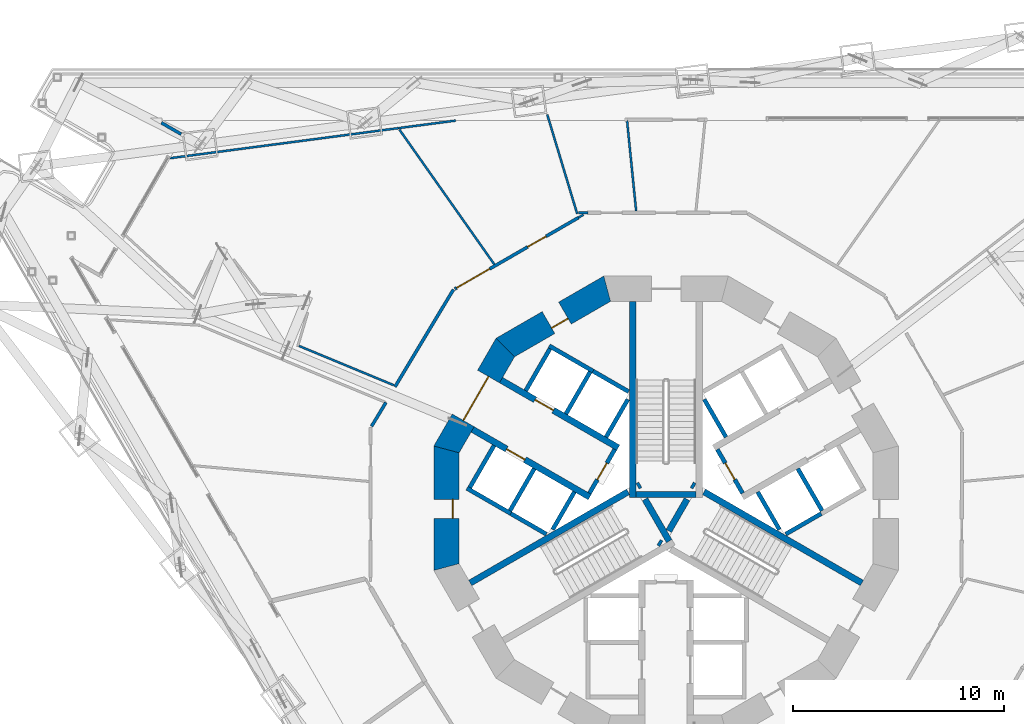
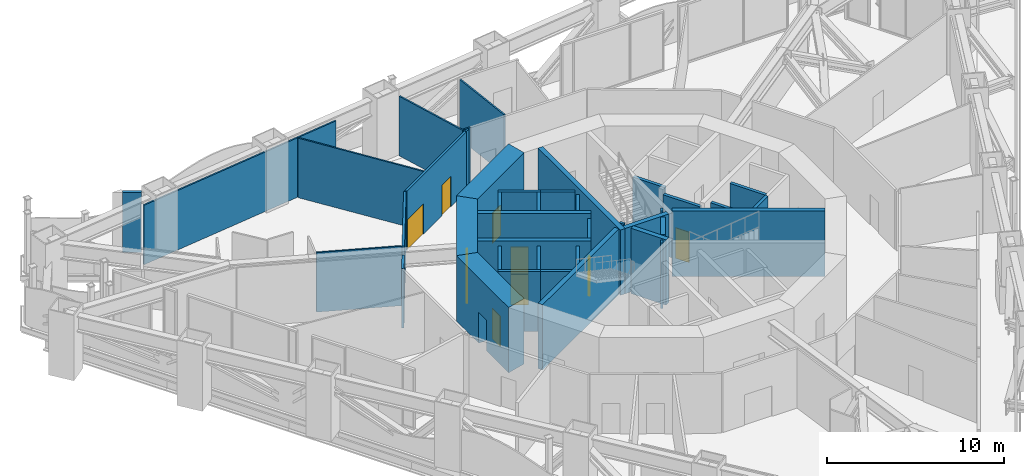
# One storey, part 15 of 28: 42 walls, 9 doors, 9 openings.
"""IFC4 building model written with IfcOpenShell, lengths in metres."""

from ifc_helpers import new_model, si_unit, direction, frame, frame_2d, origin, place, context, subcontext, project, spatial, polyline, rectangle, outline, extrude, material, layer, layer_set, type_object, element, fill, save


model = new_model("IFC4")

# Units and contexts
model_context = context("Model", 3, precision=1e-05, world=origin(), true_north=direction((0.0, 1.0)))
body_context = subcontext(model_context, "Body", "Model", "MODEL_VIEW")
ifc_project = project(units=[si_unit("LENGTHUNIT", "METRE"), si_unit("AREAUNIT", "SQUARE_METRE"), si_unit("VOLUMEUNIT", "CUBIC_METRE"), si_unit("PLANEANGLEUNIT", "RADIAN"), si_unit("MASSUNIT", "GRAM", prefix="KILO")], contexts=[model_context])

# Site, building, storey
site_placement = place(None, origin())
site = spatial("IfcSite", under=ifc_project, at=site_placement, CompositionType="ELEMENT")
building_placement = place(site_placement, origin())
building = spatial("IfcBuilding", under=site, at=building_placement, Name="Trine Commons Tower", CompositionType="ELEMENT")
storey_placement = place(building_placement, frame((0.0, 0.0, 45.89990234375)))
storey = spatial("IfcBuildingStorey", under=building, at=storey_placement, Name="L10", CompositionType="ELEMENT", Elevation=45.89990234375)

# Walls
ifc_material_1 = material(Name="Plasterboard on steel stud", Category="steel")
ifc_layer_1 = layer(ifc_material_1, 0.14990234375)
ifc_layer_set_1 = layer_set([ifc_layer_1], Name="Plasterboard on steel stud")
wall_type_1 = type_object("IfcWallType", Name="Compartment wall 150 mm, EI 60", PredefinedType="PARTITIONING", material=ifc_layer_set_1)
wall_1_placement = place(storey_placement, frame((66.033447265625, 66.383056640625, 0.0), z_axis=(0.0, 0.0, 1.0), x_axis=(0.516557629448, 0.856252425082, 0.0)))
element("IfcWall", 1, at=wall_1_placement, inside=storey, type_object=wall_type_1, Name="Partition A10017", PredefinedType="PARTITIONING", context=body_context, shape_type="SweptSolid", body=[
    extrude(rectangle(XDim=1.322509765625, YDim=0.14990234375, at=frame_2d((0.6611328125, 0.0))), origin(), (0.0, 0.0, 1.0), 4.10009765625),
])
wall_2_placement = place(storey_placement, frame((67.145263671875, 68.2578125, 0.0), z_axis=(0.0, 0.0, 1.0), x_axis=(0.515182336635, 0.857080602988, 0.0)))
element("IfcWall", 2, at=wall_2_placement, inside=storey, type_object=wall_type_1, Name="Partition A10018", PredefinedType="PARTITIONING", context=body_context, shape_type="SweptSolid", body=[
    extrude(rectangle(XDim=5.384765625, YDim=0.14990234375, at=frame_2d((2.6923828125, 0.0))), origin(), (0.0, 0.0, 1.0), 4.10009765625),
])

# Wall, openings, doors
wall_3_placement = place(storey_placement, frame((69.9853515625, 72.897216796875, 0.0), z_axis=(0.0, 0.0, 1.0), x_axis=(0.866032880261, 0.499987050139, 0.0)))
wall_3 = element("IfcWall", 3, at=wall_3_placement, inside=storey, type_object=wall_type_1, Name="Partition A10025", PredefinedType="PARTITIONING", context=body_context, shape_type="SweptSolid", body=[
    extrude(rectangle(XDim=6.762451171875, YDim=0.14990234375, at=frame_2d((3.38134765625, 0.0))), origin(), (0.0, 0.0, 1.0), 4.10009765625),
])
opening_1_placement = place(wall_3_placement, frame((0.10009765625, 0.0, 0.0)))
opening_1 = element("IfcOpeningElement", 4, at=opening_1_placement, cuts=wall_3, Name="Opening D-A1006", PredefinedType="OPENING", context=body_context, shape_type="SweptSolid", body=[
    extrude(rectangle(XDim=1.800048828125, YDim=2.10009765625, at=frame_2d((0.89990234375, 1.050048828125))), frame((0.0, 0.0849609375, 0.0), z_axis=(0.0, -1.0, 0.0), x_axis=(1.0, 0.0, 0.0)), (0.0, 0.0, 1.0), 0.169921875),
])
opening_2_placement = place(wall_3_placement, frame((3.986572265625, 0.0, 0.0)))
opening_2 = element("IfcOpeningElement", 5, at=opening_2_placement, cuts=wall_3, Name="Opening D-A1007", PredefinedType="OPENING", context=body_context, shape_type="SweptSolid", body=[
    extrude(rectangle(XDim=1.0, YDim=2.10009765625, at=frame_2d((0.5, 1.050048828125))), frame((0.0, 0.0849609375, 0.0), z_axis=(0.0, -1.0, 0.0), x_axis=(1.0, 0.0, 0.0)), (0.0, 0.0, 1.0), 0.169921875),
])
ifc_material_2 = material(Name="Timber fire door set", Category="wood")
door_type_1 = type_object("IfcDoorType", Name="Double swing door 1800x2100, FD30S", OperationType="DOUBLE_DOOR_DOUBLE_SWING", PredefinedType="DOOR", material=ifc_material_2)
door_1_placement = place(opening_1_placement, origin())
door_1 = element("IfcDoor", 6, at=door_1_placement, inside=storey, type_object=door_type_1, Name="Door D-A1006", OperationType="DOUBLE_DOOR_DOUBLE_SWING", OverallHeight=2.10009765625, OverallWidth=1.800048828125, PredefinedType="DOOR", context=body_context, shape_type="SweptSolid", body=[
    extrude(rectangle(XDim=1.800048828125, YDim=2.10009765625, at=frame_2d((0.89990234375, 1.050048828125))), frame((0.0, 0.02490234375, 0.0), z_axis=(0.0, -1.0, 0.0), x_axis=(1.0, 0.0, 0.0)), (0.0, 0.0, 1.0), 0.050048828125),
])
fill(opening_1, door_1)
door_type_2 = type_object("IfcDoorType", Name="Single swing door 1000x2100, FD30S", OperationType="SINGLE_SWING_LEFT", PredefinedType="DOOR", material=ifc_material_2)
door_2_placement = place(opening_2_placement, origin())
door_2 = element("IfcDoor", 7, at=door_2_placement, inside=storey, type_object=door_type_2, Name="Door D-A1007", OperationType="SINGLE_SWING_LEFT", OverallHeight=2.10009765625, OverallWidth=1.0, PredefinedType="DOOR", context=body_context, shape_type="SweptSolid", body=[
    extrude(rectangle(XDim=1.0, YDim=2.10009765625, at=frame_2d((0.5, 1.050048828125))), frame((0.0, 0.02490234375, 0.0), z_axis=(0.0, -1.0, 0.0), x_axis=(1.0, 0.0, 0.0)), (0.0, 0.0, 1.0), 0.050048828125),
])
fill(opening_2, door_2)

# Wall
ifc_material_3 = material(Name="Aluminium-framed insulated wall panel", Category="aluminium")
ifc_layer_2 = layer(ifc_material_3, 0.14990234375)
ifc_layer_set_2 = layer_set([ifc_layer_2], Name="Aluminium-framed insulated wall panel")
wall_type_2 = type_object("IfcWallType", Name="Glazed frame wall 150, EI 60", PredefinedType="SOLIDWALL", material=ifc_layer_set_2)
wall_4_placement = place(storey_placement, frame((57.104248046875, 80.181884765625, 0.0), z_axis=(0.0, 0.0, 1.0), x_axis=(-0.86606770004, 0.49992673358, 0.0)))
element("IfcWall", 8, at=wall_4_placement, inside=storey, type_object=wall_type_2, Name="Glazed frame wall L10 R3", PredefinedType="SOLIDWALL", context=body_context, shape_type="SweptSolid", body=[
    extrude(outline(polyline([(0.110107421875, 0.074951171875), (0.110107421875, -0.074951171875), (1.19580078125, -0.074951171875), (1.19580078125, 0.074951171875), (0.110107421875, 0.074951171875)])), origin(), (0.0, 0.0, 1.0), 4.150146484375),
])

# Wall, opening, door
ifc_material_4 = material(Name="Fire-rated gypsum shaft wall system")
ifc_layer_3 = layer(ifc_material_4, 0.199951171875)
ifc_layer_set_3 = layer_set([ifc_layer_3], Name="Fire-rated gypsum shaft wall system")
wall_type_3 = type_object("IfcWallType", Name="Lobby end wall 200 mm, EI 120", PredefinedType="PARTITIONING", material=ifc_layer_set_3)
wall_5_placement = place(storey_placement, frame((77.569091796875, 65.2890625, 0.0), z_axis=(0.0, 0.0, 1.0), x_axis=(-0.50012165622, -0.865955154139, 0.0)))
wall_5 = element("IfcWall", 9, at=wall_5_placement, inside=storey, type_object=wall_type_3, Name="Lobby end wall L10", PredefinedType="PARTITIONING", context=body_context, shape_type="SweptSolid", body=[
    extrude(rectangle(XDim=2.39990234375, YDim=0.199951171875, at=frame_2d((1.199951171875, 0.0))), origin(), (0.0, 0.0, 1.0), 4.150146484375),
])
opening_3_placement = place(wall_5_placement, frame((0.749755859375, 0.0, 0.0)))
opening_3 = element("IfcOpeningElement", 10, at=opening_3_placement, cuts=wall_5, Name="Opening K05.07", PredefinedType="OPENING", context=body_context, shape_type="SweptSolid", body=[
    extrude(rectangle(XDim=0.89990234375, YDim=2.10009765625, at=frame_2d((0.449951171875, 1.050048828125))), frame((0.0, 0.10986328125, 0.0), z_axis=(0.0, -1.0, 0.0), x_axis=(1.0, 0.0, 0.0)), (0.0, 0.0, 1.0), 0.219970703125),
])
ifc_material_5 = material(Name="Steel door leaf, fire-rated", Category="steel")
door_type_3 = type_object("IfcDoorType", Name="Riser access door, single leaf 900 x 2100, FD60", OperationType="SINGLE_SWING_LEFT", PredefinedType="DOOR", material=ifc_material_5)
door_3_placement = place(opening_3_placement, frame((0.89990234375, 0.0, 0.0), z_axis=(0.0, 0.0, 1.0), x_axis=(-1.0, 0.0, 0.0)))
door_3 = element("IfcDoor", 11, at=door_3_placement, inside=storey, type_object=door_type_3, Name="Riser door, Mechanical riser L10", OperationType="SINGLE_SWING_RIGHT", OverallHeight=2.10009765625, OverallWidth=0.89990234375, PredefinedType="DOOR", context=body_context, shape_type="SweptSolid", body=[
    extrude(rectangle(XDim=0.89990234375, YDim=2.10009765625, at=frame_2d((0.449951171875, 1.050048828125))), frame((0.0, 0.02490234375, 0.0), z_axis=(0.0, -1.0, 0.0), x_axis=(1.0, 0.0, 0.0)), (0.0, 0.0, 1.0), 0.050048828125),
])
fill(opening_3, door_3)

wall_6_placement = place(storey_placement, frame((83.631103515625, 63.2109375, 0.0), z_axis=(0.0, 0.0, 1.0), x_axis=(-0.50012165622, 0.865955154139, 0.0)))
wall_6 = element("IfcWall", 12, at=wall_6_placement, inside=storey, type_object=wall_type_3, Name="Lobby end wall L10", PredefinedType="PARTITIONING", context=body_context, shape_type="SweptSolid", body=[
    extrude(rectangle(XDim=2.39990234375, YDim=0.199951171875, at=frame_2d((1.199951171875, 0.0))), origin(), (0.0, 0.0, 1.0), 4.150146484375),
])
opening_4_placement = place(wall_6_placement, frame((0.749755859375, 0.0, 0.0)))
opening_4 = element("IfcOpeningElement", 13, at=opening_4_placement, cuts=wall_6, Name="Opening K05.05", PredefinedType="OPENING", context=body_context, shape_type="SweptSolid", body=[
    extrude(rectangle(XDim=0.89990234375, YDim=2.10009765625, at=frame_2d((0.449951171875, 1.050048828125))), frame((0.0, 0.10986328125, 0.0), z_axis=(0.0, -1.0, 0.0), x_axis=(1.0, 0.0, 0.0)), (0.0, 0.0, 1.0), 0.219970703125),
])
door_4_placement = place(opening_4_placement, frame((0.89990234375, 0.0, 0.0), z_axis=(0.0, 0.0, 1.0), x_axis=(-1.0, 0.0, 0.0)))
door_4 = element("IfcDoor", 14, at=door_4_placement, inside=storey, type_object=door_type_3, Name="Riser door, Electrical riser L10", OperationType="SINGLE_SWING_LEFT", OverallHeight=2.10009765625, OverallWidth=0.89990234375, PredefinedType="DOOR", context=body_context, shape_type="SweptSolid", body=[
    extrude(rectangle(XDim=0.89990234375, YDim=2.10009765625, at=frame_2d((0.449951171875, 1.050048828125))), frame((0.0, 0.02490234375, 0.0), z_axis=(0.0, -1.0, 0.0), x_axis=(1.0, 0.0, 0.0)), (0.0, 0.0, 1.0), 0.050048828125),
])
fill(opening_4, door_4)

# Walls
ifc_layer_4 = layer(ifc_material_1, 0.10009765625)
ifc_layer_set_4 = layer_set([ifc_layer_4], Name="Plasterboard on steel stud")
wall_type_4 = type_object("IfcWallType", Name="Partition wall 100 mm stud, not rated", PredefinedType="PARTITIONING", material=ifc_layer_set_4)
wall_7_placement = place(storey_placement, frame((56.4814453125, 79.09912109375, 0.0), z_axis=(0.0, 0.0, 1.0), x_axis=(0.991447215374, 0.130508310566, 0.0)))
element("IfcWall", 15, at=wall_7_placement, inside=storey, type_object=wall_type_4, Name="Partition A10003", PredefinedType="PARTITIONING", context=body_context, shape_type="SweptSolid", body=[
    extrude(rectangle(XDim=10.917236328125, YDim=0.10009765625, at=frame_2d((5.45849609375, 0.0))), origin(), (0.0, 0.0, 1.0), 4.10009765625),
])
wall_8_placement = place(storey_placement, frame((62.596923828125, 70.195556640625, 0.0), z_axis=(0.0, 0.0, 1.0), x_axis=(0.923885360275, -0.382669362595, 0.0)))
element("IfcWall", 16, at=wall_8_placement, inside=storey, type_object=wall_type_4, Name="Partition A10011", PredefinedType="PARTITIONING", context=body_context, shape_type="SweptSolid", body=[
    extrude(rectangle(XDim=4.865966796875, YDim=0.10009765625, at=frame_2d((2.43310546875, 0.0))), origin(), (0.0, 0.0, 1.0), 4.10009765625),
])
wall_9_placement = place(storey_placement, frame((67.35498046875, 80.456787109375, 0.0), z_axis=(0.0, 0.0, 1.0), x_axis=(0.575760380834, -0.817618483072, 0.0)))
element("IfcWall", 17, at=wall_9_placement, inside=storey, type_object=wall_type_4, Name="Partition A10019", PredefinedType="PARTITIONING", context=body_context, shape_type="SweptSolid", body=[
    extrude(rectangle(XDim=7.81396484375, YDim=0.10009765625, at=frame_2d((3.906982421875, 0.0))), origin(), (0.0, 0.0, 1.0), 4.10009765625),
])
wall_10_placement = place(storey_placement, frame((67.3095703125, 80.524658203125, 0.0), z_axis=(0.0, 0.0, 1.0), x_axis=(0.991450356722, 0.130484444111, 0.0)))
element("IfcWall", 18, at=wall_10_placement, inside=storey, type_object=wall_type_4, Name="Partition A10020", PredefinedType="PARTITIONING", context=body_context, shape_type="SweptSolid", body=[
    extrude(rectangle(XDim=2.742919921875, YDim=0.10009765625, at=frame_2d((1.37158203125, 0.0))), origin(), (0.0, 0.0, 1.0), 4.10009765625),
])
wall_11_placement = place(storey_placement, frame((74.3662109375, 81.1669921875, 0.0), z_axis=(0.0, 0.0, 1.0), x_axis=(0.288920378695, -0.95735312961, 0.0)))
element("IfcWall", 19, at=wall_11_placement, inside=storey, type_object=wall_type_4, Name="Partition A10029", PredefinedType="PARTITIONING", context=body_context, shape_type="SweptSolid", body=[
    extrude(rectangle(XDim=4.912841796875, YDim=0.10009765625, at=frame_2d((2.45654296875, 0.0))), origin(), (0.0, 0.0, 1.0), 4.10009765625),
])
wall_12_placement = place(storey_placement, frame((75.840576171875, 76.511474609375, 0.0), z_axis=(0.0, 0.0, 1.0), x_axis=(1.0, 0.0, 0.0)))
element("IfcWall", 20, at=wall_12_placement, inside=storey, type_object=wall_type_4, Name="Partition A10030", PredefinedType="PARTITIONING", context=body_context, shape_type="SweptSolid", body=[
    extrude(rectangle(XDim=0.450927734375, YDim=0.10009765625, at=frame_2d((0.2255859375, 0.0))), origin(), (0.0, 0.0, 1.0), 4.10009765625),
])
wall_13_placement = place(storey_placement, frame((75.843505859375, 76.279296875, 0.0), z_axis=(0.0, 0.0, 1.0), x_axis=(0.865873657005, 0.500262741071, 0.0)))
element("IfcWall", 21, at=wall_13_placement, inside=storey, type_object=wall_type_4, Name="Partition A10031", PredefinedType="PARTITIONING", context=body_context, shape_type="SweptSolid", body=[
    extrude(rectangle(XDim=0.273681640625, YDim=0.10009765625, at=frame_2d((0.13671875, 0.0))), origin(), (0.0, 0.0, 1.0), 4.10009765625),
])
wall_14_placement = place(storey_placement, frame((78.150390625, 80.884521484375, 0.0), z_axis=(0.0, 0.0, 1.0), x_axis=(0.10009755591, -0.994977627538, 0.0)))
element("IfcWall", 22, at=wall_14_placement, inside=storey, type_object=wall_type_4, Name="Partition A10034", PredefinedType="PARTITIONING", context=body_context, shape_type="SweptSolid", body=[
    extrude(rectangle(XDim=4.314697265625, YDim=0.10009765625, at=frame_2d((2.1572265625, 0.0))), origin(), (0.0, 0.0, 1.0), 4.10009765625),
])

# Wall, opening, door
ifc_material_6 = material(Name="Concrete C80/95", Category="concrete")
ifc_layer_5 = layer(ifc_material_6, 1.199951171875)
ifc_layer_set_5 = layer_set([ifc_layer_5], Name="Concrete C80/95")
wall_type_5 = type_object("IfcWallType", Name="RC shear wall 1200 mm, C80/95", PredefinedType="SHEAR", material=ifc_layer_set_5)
wall_15_placement = place(storey_placement, frame((77.349609375, 72.991943359375, 0.0), z_axis=(0.0, 0.0, 1.0), x_axis=(-0.866037463336, -0.499979111662, 0.0)))
wall_15 = element("IfcWall", 23, at=wall_15_placement, inside=storey, type_object=wall_type_5, Name="Core wall CWB-05 L10", PredefinedType="SHEAR", context=body_context, shape_type="SweptSolid", body=[
    extrude(outline(polyline([(0.0, -0.60009765625), (5.901123046875, -0.60009765625), (5.57958984375, 0.60009765625), (0.321533203125, 0.60009765625), (0.0, -0.60009765625)])), origin(), (0.0, 0.0, 1.0), 4.5),
])
opening_5_placement = place(wall_15_placement, frame((2.474853515625, 0.0, 0.0)))
opening_5 = element("IfcOpeningElement", 24, at=opening_5_placement, cuts=wall_15, Name="Opening K05.12", PredefinedType="OPENING", context=body_context, shape_type="SweptSolid", body=[
    extrude(rectangle(XDim=0.89990234375, YDim=2.10009765625, at=frame_2d((0.449951171875, 1.050048828125))), frame((0.0, 0.60986328125, 0.0), z_axis=(0.0, -1.0, 0.0), x_axis=(1.0, 0.0, 0.0)), (0.0, 0.0, 1.0), 1.219970703125),
])
door_type_4 = type_object("IfcDoorType", Name="Core room door, single leaf 900 x 2100, FD30S", OperationType="SINGLE_SWING_LEFT", PredefinedType="DOOR", material=ifc_material_5)
door_5_placement = place(opening_5_placement, origin())
door_5 = element("IfcDoor", 25, at=door_5_placement, inside=storey, type_object=door_type_4, Name="Door to Accessible WC L10", OperationType="SINGLE_SWING_LEFT", OverallHeight=2.10009765625, OverallWidth=0.89990234375, PredefinedType="DOOR", context=body_context, shape_type="SweptSolid", body=[
    extrude(rectangle(XDim=0.89990234375, YDim=2.10009765625, at=frame_2d((0.449951171875, 1.050048828125))), frame((0.0, 0.3251953125, 0.0), z_axis=(0.0, -1.0, 0.0), x_axis=(1.0, 0.0, 0.0)), (0.0, 0.0, 1.0), 0.050048828125),
])
fill(opening_5, door_5)

wall_16_placement = place(storey_placement, frame((72.45849609375, 70.260986328125, 0.0), z_axis=(0.0, 0.0, 1.0), x_axis=(-0.499979111662, -0.866037463336, 0.0)))
wall_16 = element("IfcWall", 26, at=wall_16_placement, inside=storey, type_object=wall_type_5, Name="Core wall CWB-06 L10", PredefinedType="SHEAR", context=body_context, shape_type="SweptSolid", body=[
    extrude(outline(polyline([(0.0, -0.60009765625), (5.901123046875, -0.60009765625), (5.57958984375, 0.60009765625), (0.321533203125, 0.60009765625), (0.0, -0.60009765625)])), origin(), (0.0, 0.0, 1.0), 4.5),
])
opening_6_placement = place(wall_16_placement, frame((1.75048828125, 0.0, 0.0)))
opening_6 = element("IfcOpeningElement", 27, at=opening_6_placement, cuts=wall_16, Name="Opening K05.06", PredefinedType="OPENING", context=body_context, shape_type="SweptSolid", body=[
    extrude(rectangle(XDim=2.39990234375, YDim=2.10009765625, at=frame_2d((1.199951171875, 1.050048828125))), frame((0.0, 0.60986328125, 0.0), z_axis=(0.0, -1.0, 0.0), x_axis=(1.0, 0.0, 0.0)), (0.0, 0.0, 1.0), 1.219970703125),
])
ifc_material_7 = material(Name="Steel door leaves, fire-rated", Category="steel")
door_type_5 = type_object("IfcDoorType", Name="Lobby door, double leaf 2400 x 2100, FD60", OperationType="DOUBLE_DOOR_SINGLE_SWING", PredefinedType="DOOR", material=ifc_material_7)
door_6_placement = place(opening_6_placement, origin())
door_6 = element("IfcDoor", 28, at=door_6_placement, inside=storey, type_object=door_type_5, Name="Lobby door, Passenger lift lobby B L10", OperationType="DOUBLE_DOOR_SINGLE_SWING", OverallHeight=2.10009765625, OverallWidth=2.39990234375, PredefinedType="DOOR", context=body_context, shape_type="SweptSolid", body=[
    extrude(rectangle(XDim=2.39990234375, YDim=2.10009765625, at=frame_2d((1.199951171875, 1.050048828125))), frame((0.0, 0.02490234375, 0.0), z_axis=(0.0, -1.0, 0.0), x_axis=(1.0, 0.0, 0.0)), (0.0, 0.0, 1.0), 0.050048828125),
])
fill(opening_6, door_6)

wall_17_placement = place(storey_placement, frame((69.58837890625, 65.450439453125, 0.0), z_axis=(0.0, 0.0, 1.0), x_axis=(0.0, -1.0, 0.0)))
wall_17 = element("IfcWall", 29, at=wall_17_placement, inside=storey, type_object=wall_type_5, Name="Core wall CWB-07 L10", PredefinedType="SHEAR", context=body_context, shape_type="SweptSolid", body=[
    extrude(outline(polyline([(0.0, -0.60009765625), (5.90087890625, -0.60009765625), (5.57958984375, 0.60009765625), (0.321533203125, 0.60009765625), (0.0, -0.60009765625)])), origin(), (0.0, 0.0, 1.0), 4.5),
])
opening_7_placement = place(wall_17_placement, frame((2.525390625, 0.0, 0.0)))
opening_7 = element("IfcOpeningElement", 30, at=opening_7_placement, cuts=wall_17, Name="Opening K05.13", PredefinedType="OPENING", context=body_context, shape_type="SweptSolid", body=[
    extrude(rectangle(XDim=0.89990234375, YDim=2.10009765625, at=frame_2d((0.449951171875, 1.050048828125))), frame((0.0, 0.60986328125, 0.0), z_axis=(0.0, -1.0, 0.0), x_axis=(1.0, 0.0, 0.0)), (0.0, 0.0, 1.0), 1.219970703125),
])
door_7_placement = place(opening_7_placement, origin())
door_7 = element("IfcDoor", 31, at=door_7_placement, inside=storey, type_object=door_type_4, Name="Door to Pantry L10", OperationType="SINGLE_SWING_RIGHT", OverallHeight=2.10009765625, OverallWidth=0.89990234375, PredefinedType="DOOR", context=body_context, shape_type="SweptSolid", body=[
    extrude(rectangle(XDim=0.89990234375, YDim=2.10009765625, at=frame_2d((0.449951171875, 1.050048828125))), frame((0.0, 0.3251953125, 0.0), z_axis=(0.0, -1.0, 0.0), x_axis=(1.0, 0.0, 0.0)), (0.0, 0.0, 1.0), 0.050048828125),
])
fill(opening_7, door_7)

ifc_layer_6 = layer(ifc_material_6, 0.300048828125)
ifc_layer_set_6 = layer_set([ifc_layer_6], Name="Concrete C80/95")
wall_type_6 = type_object("IfcWallType", Name="RC shear wall 300 mm, C80/95", PredefinedType="SHEAR", material=ifc_layer_set_6)
wall_18_placement = place(storey_placement, frame((76.381103515625, 63.031005859375, 0.0), z_axis=(0.0, 0.0, 1.0), x_axis=(-0.866032150378, 0.499988314375, 0.0)))
wall_18 = element("IfcWall", 32, at=wall_18_placement, inside=storey, type_object=wall_type_6, Name="Core cross wall SWA-01 L10", PredefinedType="SHEAR", context=body_context, shape_type="SweptSolid", body=[
    extrude(rectangle(XDim=6.412353515625, YDim=0.300048828125, at=frame_2d((3.2060546875, 0.0))), origin(), (0.0, 0.0, 1.0), 4.5),
])
opening_8_placement = place(wall_18_placement, frame((3.55029296875, 0.0, 0.0)))
opening_8 = element("IfcOpeningElement", 33, at=opening_8_placement, cuts=wall_18, Name="Opening LD3", PredefinedType="OPENING", context=body_context, shape_type="SweptSolid", body=[
    extrude(rectangle(XDim=1.0, YDim=2.10009765625, at=frame_2d((0.5, 1.050048828125))), frame((0.0, 0.159912109375, 0.0), z_axis=(0.0, -1.0, 0.0), x_axis=(1.0, 0.0, 0.0)), (0.0, 0.0, 1.0), 0.320068359375),
])
ifc_material_8 = material(Name="Stainless steel sliding door leaves", Category="steel")
door_type_6 = type_object("IfcDoorType", Name="Lift landing door, centre-opening sliding 1000 x 2100, FD90", OperationType="DOUBLE_DOOR_SLIDING", PredefinedType="DOOR", material=ifc_material_8)
door_8_placement = place(opening_8_placement, origin())
door_8 = element("IfcDoor", 34, at=door_8_placement, inside=storey, type_object=door_type_6, Name="Lift landing door LR3 L10", OperationType="DOUBLE_DOOR_SLIDING", OverallHeight=2.10009765625, OverallWidth=1.0, PredefinedType="DOOR", context=body_context, shape_type="SweptSolid", body=[
    extrude(rectangle(XDim=1.0, YDim=2.10009765625, at=frame_2d((0.5, 1.050048828125))), frame((0.0, 0.02490234375, 0.0), z_axis=(0.0, -1.0, 0.0), x_axis=(1.0, 0.0, 0.0)), (0.0, 0.0, 1.0), 0.050048828125),
])
fill(opening_8, door_8)

wall_19_placement = place(storey_placement, frame((77.73095703125, 65.368896484375, 0.0), z_axis=(0.0, 0.0, 1.0), x_axis=(-0.866022631842, 0.500004801114, 0.0)))
wall_19 = element("IfcWall", 35, at=wall_19_placement, inside=storey, type_object=wall_type_6, Name="Core cross wall SWA-02 L10", PredefinedType="SHEAR", context=body_context, shape_type="SweptSolid", body=[
    extrude(rectangle(XDim=6.412109375, YDim=0.300048828125, at=frame_2d((3.2060546875, 0.0))), origin(), (0.0, 0.0, 1.0), 4.5),
])
opening_9_placement = place(wall_19_placement, frame((3.55029296875, 0.0, 0.0)))
opening_9 = element("IfcOpeningElement", 36, at=opening_9_placement, cuts=wall_19, Name="Opening LD4", PredefinedType="OPENING", context=body_context, shape_type="SweptSolid", body=[
    extrude(rectangle(XDim=1.0, YDim=2.10009765625, at=frame_2d((0.5, 1.050048828125))), frame((0.0, 0.159912109375, 0.0), z_axis=(0.0, -1.0, 0.0), x_axis=(1.0, 0.0, 0.0)), (0.0, 0.0, 1.0), 0.320068359375),
])
door_9_placement = place(opening_9_placement, origin())
door_9 = element("IfcDoor", 37, at=door_9_placement, inside=storey, type_object=door_type_6, Name="Lift landing door LR4 L10", OperationType="DOUBLE_DOOR_SLIDING", OverallHeight=2.10009765625, OverallWidth=1.0, PredefinedType="DOOR", context=body_context, shape_type="SweptSolid", body=[
    extrude(rectangle(XDim=1.0, YDim=2.10009765625, at=frame_2d((0.5, 1.050048828125))), frame((0.0, 0.02490234375, 0.0), z_axis=(0.0, -1.0, 0.0), x_axis=(1.0, 0.0, 0.0)), (0.0, 0.0, 1.0), 0.050048828125),
])
fill(opening_9, door_9)

# Walls
wall_20_placement = place(storey_placement, frame((78.199951171875, 63.280029296875, 0.0), z_axis=(0.0, 0.0, 1.0), x_axis=(-0.865965399159, -0.500103916661, 0.0)))
element("IfcWall", 38, at=wall_20_placement, inside=storey, type_object=wall_type_6, Name="Core cross wall SWA-07 L10", PredefinedType="SHEAR", context=body_context, shape_type="SweptSolid", body=[
    extrude(rectangle(XDim=8.642333984375, YDim=0.300048828125, at=frame_2d((4.3212890625, 0.0))), origin(), (0.0, 0.0, 1.0), 4.5),
])
wall_21_placement = place(storey_placement, frame((78.425048828125, 63.0009765625, 0.0), z_axis=(0.0, 0.0, 1.0), x_axis=(0.0, 1.0, 0.0)))
element("IfcWall", 39, at=wall_21_placement, inside=storey, type_object=wall_type_6, Name="Core cross wall SWA-08 L10", PredefinedType="SHEAR", context=body_context, shape_type="SweptSolid", body=[
    extrude(rectangle(XDim=9.31103515625, YDim=0.300048828125, at=frame_2d((4.655517578125, 0.0))), origin(), (0.0, 0.0, 1.0), 4.5),
])
wall_22_placement = place(storey_placement, frame((78.779052734375, 63.614013671875, 0.0), z_axis=(0.0, 0.0, 1.0), x_axis=(-0.867737973955, -0.497021939713, 0.0)))
element("IfcWall", 40, at=wall_22_placement, inside=storey, type_object=wall_type_6, Name="Core cross wall SWA-09 L10", PredefinedType="SHEAR", context=body_context, shape_type="SweptSolid", body=[
    extrude(rectangle(XDim=0.14892578125, YDim=0.300048828125, at=frame_2d((0.074462890625, 0.0))), origin(), (0.0, 0.0, 1.0), 4.5),
])
wall_23_placement = place(storey_placement, frame((79.0029296875, 62.926025390625, 0.0), z_axis=(0.0, 0.0, 1.0), x_axis=(0.499965247104, -0.866045467449, 0.0)))
element("IfcWall", 41, at=wall_23_placement, inside=storey, type_object=wall_type_6, Name="Core cross wall SWA-10 L10", PredefinedType="SHEAR", context=body_context, shape_type="SweptSolid", body=[
    extrude(rectangle(XDim=2.292236328125, YDim=0.300048828125, at=frame_2d((1.14599609375, 0.0))), origin(), (0.0, 0.0, 1.0), 4.5),
])
wall_24_placement = place(storey_placement, frame((79.64599609375, 60.885986328125, 0.0), z_axis=(0.0, 0.0, 1.0), x_axis=(0.867331893649, -0.497730234424, 0.0)))
element("IfcWall", 42, at=wall_24_placement, inside=storey, type_object=wall_type_6, Name="Core cross wall SWA-11 L10", PredefinedType="SHEAR", context=body_context, shape_type="SweptSolid", body=[
    extrude(rectangle(XDim=0.148681640625, YDim=0.300048828125, at=frame_2d((0.07421875, 0.0))), origin(), (0.0, 0.0, 1.0), 4.5),
])
wall_25_placement = place(storey_placement, frame((80.1298828125, 61.424072265625, 0.0), z_axis=(0.0, 0.0, 1.0), x_axis=(0.500014901547, 0.866016800201, 0.0)))
element("IfcWall", 43, at=wall_25_placement, inside=storey, type_object=wall_type_6, Name="Core cross wall SWA-12 L10", PredefinedType="SHEAR", context=body_context, shape_type="SweptSolid", body=[
    extrude(rectangle(XDim=1.734375, YDim=0.300048828125, at=frame_2d((0.8671875, 0.0))), origin(), (0.0, 0.0, 1.0), 4.5),
])
wall_26_placement = place(storey_placement, frame((81.220947265625, 63.614013671875, 0.0), z_axis=(0.0, 0.0, 1.0), x_axis=(0.867737973955, -0.497021939713, 0.0)))
element("IfcWall", 44, at=wall_26_placement, inside=storey, type_object=wall_type_6, Name="Core cross wall SWA-15 L10", PredefinedType="SHEAR", context=body_context, shape_type="SweptSolid", body=[
    extrude(rectangle(XDim=0.14892578125, YDim=0.300048828125, at=frame_2d((0.074462890625, 0.0))), origin(), (0.0, 0.0, 1.0), 4.5),
])
wall_27_placement = place(storey_placement, frame((81.425048828125, 63.15087890625, 0.0), z_axis=(0.0, 0.0, 1.0), x_axis=(-1.0, 0.0, 0.0)))
element("IfcWall", 45, at=wall_27_placement, inside=storey, type_object=wall_type_6, Name="Core cross wall SWA-16 L10", PredefinedType="SHEAR", context=body_context, shape_type="SweptSolid", body=[
    extrude(rectangle(XDim=2.85009765625, YDim=0.300048828125, at=frame_2d((1.425048828125, 0.0))), origin(), (0.0, 0.0, 1.0), 4.5),
])
wall_28_placement = place(storey_placement, frame((81.800048828125, 63.280029296875, 0.0), z_axis=(0.0, 0.0, 1.0), x_axis=(0.865965399159, -0.500103916661, 0.0)))
element("IfcWall", 46, at=wall_28_placement, inside=storey, type_object=wall_type_6, Name="Core cross wall SWA-18 L10", PredefinedType="SHEAR", context=body_context, shape_type="SweptSolid", body=[
    extrude(rectangle(XDim=8.642333984375, YDim=0.300048828125, at=frame_2d((4.3212890625, 0.0))), origin(), (0.0, 0.0, 1.0), 4.5),
])
ifc_layer_7 = layer(ifc_material_4, 0.199951171875)
ifc_layer_set_7 = layer_set([ifc_layer_7], Name="Fire-rated gypsum shaft wall system")
wall_type_7 = type_object("IfcWallType", Name="Shaft wall 200 mm, EI 120", PredefinedType="PARTITIONING", material=ifc_layer_set_7)
wall_29_placement = place(storey_placement, frame((71.844970703125, 65.47607421875, 0.0), z_axis=(0.0, 0.0, 1.0), x_axis=(-0.500136062276, -0.86594683394, 0.0)))
element("IfcWall", 47, at=wall_29_placement, inside=storey, type_object=wall_type_7, Name="Shaft wall L10", PredefinedType="PARTITIONING", context=body_context, shape_type="SweptSolid", body=[
    extrude(rectangle(XDim=2.299072265625, YDim=0.199951171875, at=frame_2d((1.1494140625, 0.0))), origin(), (0.0, 0.0, 1.0), 4.150146484375),
])
wall_30_placement = place(storey_placement, frame((72.637939453125, 62.248046875, 0.0), z_axis=(0.0, 0.0, 1.0), x_axis=(-0.866177122335, 0.499737123639, 0.0)))
element("IfcWall", 48, at=wall_30_placement, inside=storey, type_object=wall_type_7, Name="Shaft wall L10", PredefinedType="PARTITIONING", context=body_context, shape_type="SweptSolid", body=[
    extrude(rectangle(XDim=2.401123046875, YDim=0.199951171875, at=frame_2d((1.20068359375, 0.0))), origin(), (0.0, 0.0, 1.0), 4.150146484375),
])
wall_31_placement = place(storey_placement, frame((73.344970703125, 68.073974609375, 0.0), z_axis=(0.0, 0.0, 1.0), x_axis=(0.500215680983, 0.865900844496, 0.0)))
element("IfcWall", 49, at=wall_31_placement, inside=storey, type_object=wall_type_7, Name="Shaft wall L10", PredefinedType="PARTITIONING", context=body_context, shape_type="SweptSolid", body=[
    extrude(rectangle(XDim=2.29931640625, YDim=0.199951171875, at=frame_2d((1.149658203125, 0.0))), origin(), (0.0, 0.0, 1.0), 4.150146484375),
])
wall_32_placement = place(storey_placement, frame((73.7509765625, 64.3759765625, 0.0), z_axis=(0.0, 0.0, 1.0), x_axis=(-0.500136062276, -0.86594683394, 0.0)))
element("IfcWall", 50, at=wall_32_placement, inside=storey, type_object=wall_type_7, Name="Shaft wall L10", PredefinedType="PARTITIONING", context=body_context, shape_type="SweptSolid", body=[
    extrude(rectangle(XDim=2.299072265625, YDim=0.199951171875, at=frame_2d((1.1494140625, 0.0))), origin(), (0.0, 0.0, 1.0), 4.150146484375),
])
wall_33_placement = place(storey_placement, frame((74.324951171875, 61.27294921875, 0.0), z_axis=(0.0, 0.0, 1.0), x_axis=(-0.865780634835, 0.500423712812, 0.0)))
element("IfcWall", 51, at=wall_33_placement, inside=storey, type_object=wall_type_7, Name="Shaft wall L10", PredefinedType="PARTITIONING", context=body_context, shape_type="SweptSolid", body=[
    extrude(rectangle(XDim=1.948486328125, YDim=0.199951171875, at=frame_2d((0.97412109375, 0.0))), origin(), (0.0, 0.0, 1.0), 4.150146484375),
])
wall_34_placement = place(storey_placement, frame((75.2509765625, 66.97412109375, 0.0), z_axis=(0.0, 0.0, 1.0), x_axis=(0.500136062276, 0.86594683394, 0.0)))
element("IfcWall", 52, at=wall_34_placement, inside=storey, type_object=wall_type_7, Name="Shaft wall L10", PredefinedType="PARTITIONING", context=body_context, shape_type="SweptSolid", body=[
    extrude(rectangle(XDim=2.299072265625, YDim=0.199951171875, at=frame_2d((1.1494140625, 0.0))), origin(), (0.0, 0.0, 1.0), 4.150146484375),
])
wall_35_placement = place(storey_placement, frame((75.656005859375, 63.27587890625, 0.0), z_axis=(0.0, 0.0, 1.0), x_axis=(-0.500271688072, -0.86586848777, 0.0)))
element("IfcWall", 53, at=wall_35_placement, inside=storey, type_object=wall_type_7, Name="Shaft wall L10", PredefinedType="PARTITIONING", context=body_context, shape_type="SweptSolid", body=[
    extrude(rectangle(XDim=2.064697265625, YDim=0.199951171875, at=frame_2d((1.0322265625, 0.0))), origin(), (0.0, 0.0, 1.0), 4.150146484375),
])
wall_36_placement = place(storey_placement, frame((76.5380859375, 69.001953125, 0.0), z_axis=(0.0, 0.0, 1.0), x_axis=(-0.866202511239, 0.499693115345, 0.0)))
element("IfcWall", 54, at=wall_36_placement, inside=storey, type_object=wall_type_7, Name="Shaft wall L10", PredefinedType="PARTITIONING", context=body_context, shape_type="SweptSolid", body=[
    extrude(rectangle(XDim=2.4013671875, YDim=0.199951171875, at=frame_2d((1.20068359375, 0.0))), origin(), (0.0, 0.0, 1.0), 4.150146484375),
])
wall_37_placement = place(storey_placement, frame((77.156005859375, 65.8740234375, 0.0), z_axis=(0.0, 0.0, 1.0), x_axis=(0.499865770674, 0.866102887253, 0.0)))
element("IfcWall", 55, at=wall_37_placement, inside=storey, type_object=wall_type_7, Name="Shaft wall L10", PredefinedType="PARTITIONING", context=body_context, shape_type="SweptSolid", body=[
    extrude(rectangle(XDim=2.064453125, YDim=0.199951171875, at=frame_2d((1.0322265625, 0.0))), origin(), (0.0, 0.0, 1.0), 4.150146484375),
])
wall_38_placement = place(storey_placement, frame((78.22509765625, 68.028076171875, 0.0), z_axis=(0.0, 0.0, 1.0), x_axis=(-0.866052014814, 0.499953905513, 0.0)))
element("IfcWall", 56, at=wall_38_placement, inside=storey, type_object=wall_type_7, Name="Shaft wall L10", PredefinedType="PARTITIONING", context=body_context, shape_type="SweptSolid", body=[
    extrude(rectangle(XDim=1.947998046875, YDim=0.199951171875, at=frame_2d((0.97412109375, 0.0))), origin(), (0.0, 0.0, 1.0), 4.150146484375),
])
wall_39_placement = place(storey_placement, frame((82.843994140625, 65.8740234375, 0.0), z_axis=(0.0, 0.0, 1.0), x_axis=(-0.499865770674, 0.866102887253, 0.0)))
element("IfcWall", 57, at=wall_39_placement, inside=storey, type_object=wall_type_7, Name="Shaft wall L10", PredefinedType="PARTITIONING", context=body_context, shape_type="SweptSolid", body=[
    extrude(rectangle(XDim=2.064453125, YDim=0.199951171875, at=frame_2d((1.0322265625, 0.0))), origin(), (0.0, 0.0, 1.0), 4.150146484375),
])
wall_40_placement = place(storey_placement, frame((84.343994140625, 63.27587890625, 0.0), z_axis=(0.0, 0.0, 1.0), x_axis=(0.500271688072, -0.86586848777, 0.0)))
element("IfcWall", 58, at=wall_40_placement, inside=storey, type_object=wall_type_7, Name="Shaft wall L10", PredefinedType="PARTITIONING", context=body_context, shape_type="SweptSolid", body=[
    extrude(rectangle(XDim=2.064697265625, YDim=0.199951171875, at=frame_2d((1.0322265625, 0.0))), origin(), (0.0, 0.0, 1.0), 4.150146484375),
])
wall_41_placement = place(storey_placement, frame((85.675048828125, 61.27294921875, 0.0), z_axis=(0.0, 0.0, 1.0), x_axis=(0.865780634835, 0.500423712812, 0.0)))
element("IfcWall", 59, at=wall_41_placement, inside=storey, type_object=wall_type_7, Name="Shaft wall L10", PredefinedType="PARTITIONING", context=body_context, shape_type="SweptSolid", body=[
    extrude(rectangle(XDim=1.948486328125, YDim=0.199951171875, at=frame_2d((0.97412109375, 0.0))), origin(), (0.0, 0.0, 1.0), 4.150146484375),
])
wall_42_placement = place(storey_placement, frame((86.2490234375, 64.3759765625, 0.0), z_axis=(0.0, 0.0, 1.0), x_axis=(0.500136062276, -0.86594683394, 0.0)))
element("IfcWall", 60, at=wall_42_placement, inside=storey, type_object=wall_type_7, Name="Shaft wall L10", PredefinedType="PARTITIONING", context=body_context, shape_type="SweptSolid", body=[
    extrude(rectangle(XDim=2.299072265625, YDim=0.199951171875, at=frame_2d((1.1494140625, 0.0))), origin(), (0.0, 0.0, 1.0), 4.150146484375),
])

save(model, "model.ifc")
